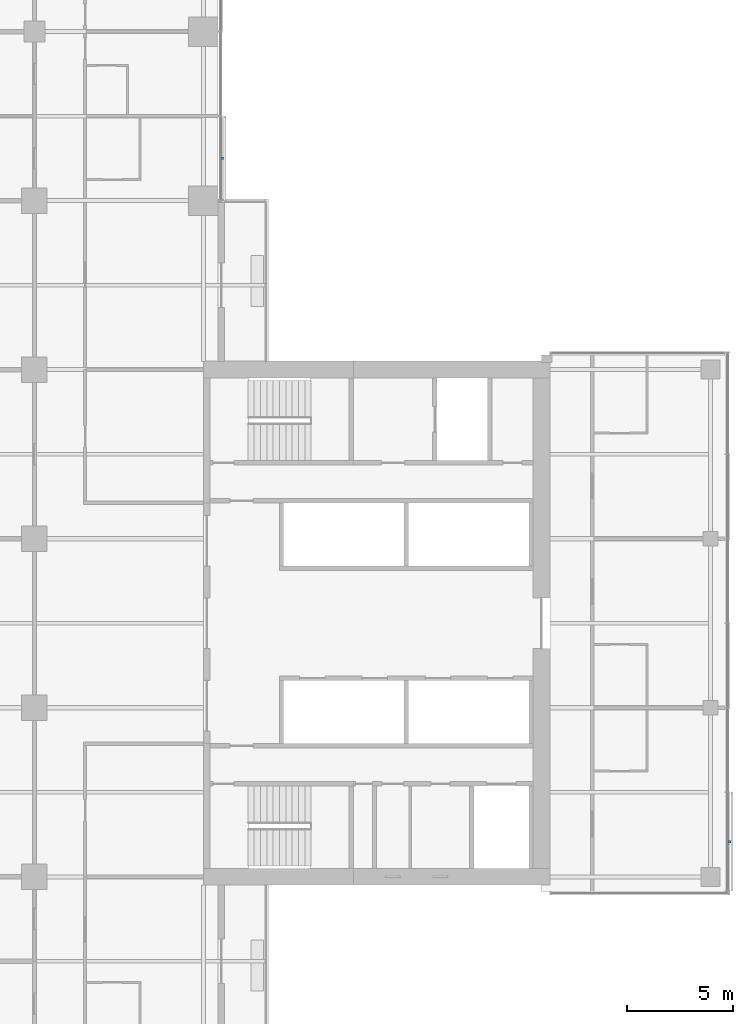
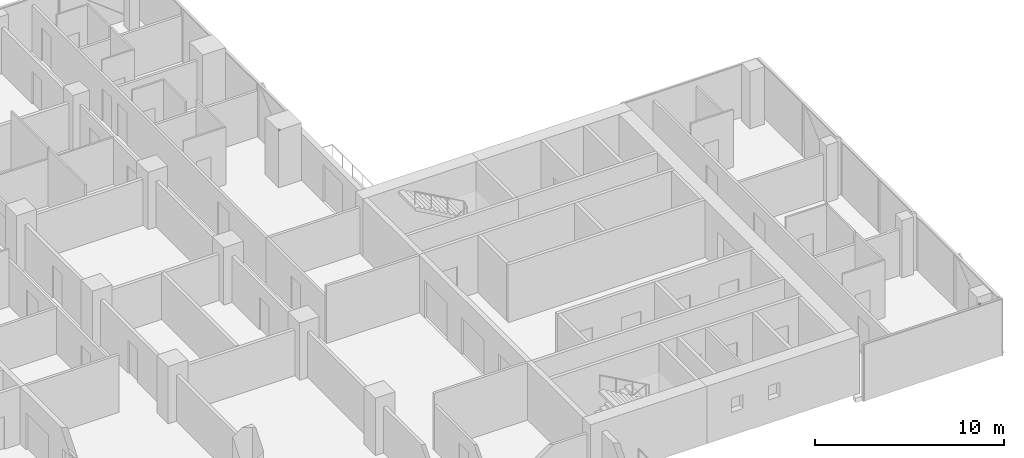
# One storey, part 25 of 27: 2 discrete accessories.
"""IFC4 building model written with IfcOpenShell, lengths in metres."""

from ifc_helpers import new_model, si_unit, direction, frame, origin, origin_2d, place, context, subcontext, project, spatial, rectangle, extrude, material, type_object, element, save


model = new_model("IFC4")

# Units and contexts
model_context = context("Model", 3, precision=1e-05, world=origin(), true_north=direction((0.0, 1.0)))
body_context = subcontext(model_context, "Body", "Model", "MODEL_VIEW")
ifc_project = project(units=[si_unit("LENGTHUNIT", "METRE"), si_unit("AREAUNIT", "SQUARE_METRE"), si_unit("VOLUMEUNIT", "CUBIC_METRE"), si_unit("PLANEANGLEUNIT", "RADIAN"), si_unit("MASSUNIT", "GRAM", prefix="KILO")], contexts=[model_context])

# Site, building, storey
site_placement = place(None, origin())
site = spatial("IfcSite", under=ifc_project, at=site_placement, CompositionType="ELEMENT")
building_placement = place(site_placement, origin())
building = spatial("IfcBuilding", under=site, at=building_placement, Name="Crosswind Convention Tower", CompositionType="ELEMENT")
storey_placement = place(building_placement, frame((0.0, 0.0, 79.39990234375)))
storey = spatial("IfcBuildingStorey", under=building, at=storey_placement, Name="L14", CompositionType="ELEMENT", Elevation=79.39990234375)

# Discrete accessories
ifc_material = material(Name="Stainless steel", Category="steel")
discrete_accessory_type = type_object("IfcDiscreteAccessoryType", Name="BAGUETTE BRACKET BK2", PredefinedType="BRACKET", material=ifc_material)
for number, where, z_axis, x_axis, name in (
    (1, (161.907958984375, 89.666259765625, 1.4775390625), (0.0, 0.0, 1.0), (0.0, 1.0, 0.0), "BK2 baguette bracket"),
    (2, (137.907958984375, 122.0, 1.4775390625), (0.0, 0.0, 1.0), (0.0, 1.0, 0.0), "BK2 baguette bracket"),
):
    element("IfcDiscreteAccessory", number, at=place(storey_placement, frame(where, z_axis=z_axis, x_axis=x_axis)), inside=storey, type_object=discrete_accessory_type, Name=name, PredefinedType="BRACKET", context=body_context, shape_type="SweptSolid", body=[
        extrude(rectangle(XDim=0.1201171875, YDim=0.10009765625, at=origin_2d()), origin(), (0.0, 0.0, 1.0), 0.1201171875),
    ])

save(model, "model.ifc")
